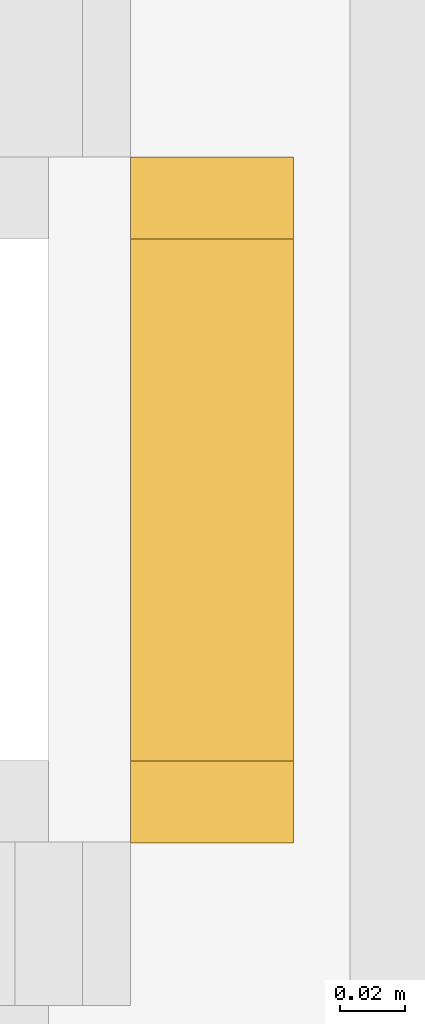
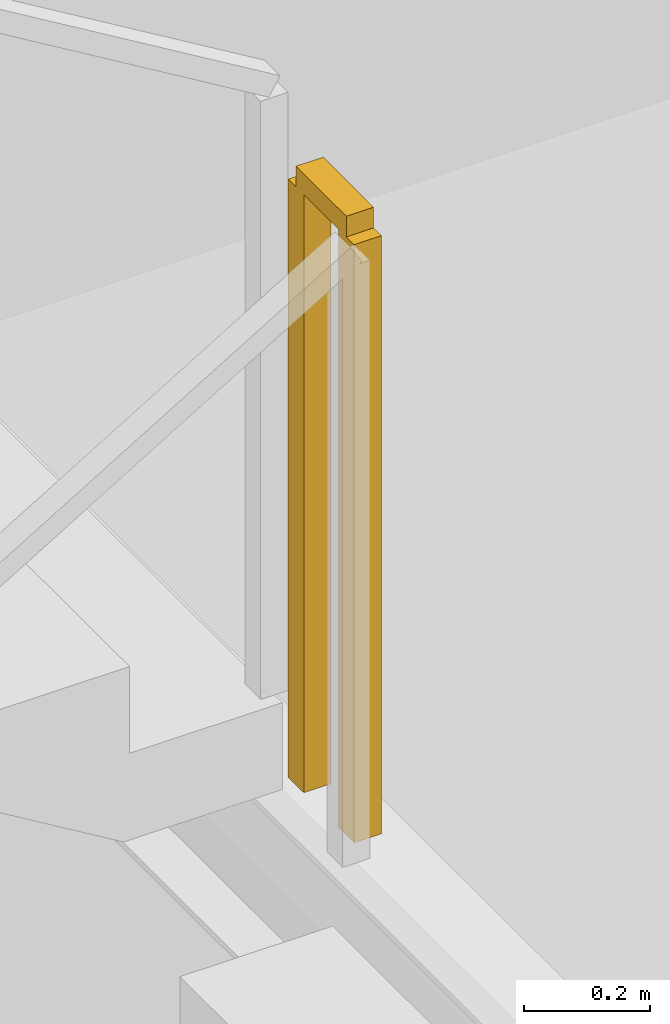
# One storey, part 19 of 19: 1 railing.
"""IFC4 building model written with IfcOpenShell, lengths in metres."""

import ifcopenshell
import ifcopenshell.guid

model = None  # the IFC model being written
_history = None  # IfcOwnerHistory: only IFC2X3 demands one
_inside = {}  # id of a spatial element -> (the spatial element, [elements in it])
_under = {}  # id of a project, library or spatial element -> (it, [spatial elements below it])
_declared = {}  # id of a project -> (the project, [libraries it declares])
_typed = {}  # id of a type object -> (the type object, [elements of that type])
_made_of = {}  # id of a material, layer set ... -> (it, [elements and type objects made of it])


def new_model(schema):
    """Start an empty IFC model of exactly this schema.

    Asked for "IFC4X3", IfcOpenShell would pick the latest addendum, in which some entities
    have other attributes; the version numbers below select the first issue.
    IFC2X3 requires an IfcOwnerHistory on every rooted entity: one is made here for all.
    """
    global model, _history
    if schema == "IFC4X3":
        model = ifcopenshell.file(schema_version=(4, 3, 0, 0))
    else:
        model = ifcopenshell.file(schema=schema)
    _inside.clear()
    _under.clear()
    _declared.clear()
    _typed.clear()
    _made_of.clear()
    _history = None
    if model.schema == "IFC2X3":
        org = make("IfcOrganization", Name="unknown")
        user = make(
            "IfcPersonAndOrganization",
            ThePerson=make("IfcPerson", FamilyName="unknown"),
            TheOrganization=org,
        )
        app = make(
            "IfcApplication",
            ApplicationDeveloper=org,
            Version="unknown",
            ApplicationFullName="unknown",
            ApplicationIdentifier="unknown",
        )
        _history = make(
            "IfcOwnerHistory",
            OwningUser=user,
            OwningApplication=app,
            ChangeAction="ADDED",
            CreationDate=0,
        )
    return model


def make(cls, **values):
    """One entity of the class cls with the attributes given. An attribute that is None is left unset."""
    return model.create_entity(
        cls, **{name: value for name, value in values.items() if value is not None}
    )


def rooted(cls, **values):
    """An entity with a GlobalId (a new one), such as an element, a storey or a relation."""
    return make(cls, GlobalId=ifcopenshell.guid.new(), OwnerHistory=_history, **values)


def si_unit(unit_type, name, prefix=None):
    """IfcSIUnit, for example si_unit("LENGTHUNIT", "METRE", prefix="MILLI")."""
    return make("IfcSIUnit", UnitType=unit_type, Prefix=prefix, Name=name)


def assignment(units):
    """IfcUnitAssignment: the units of a project."""
    return None if units is None else make("IfcUnitAssignment", Units=units)


def point(xyz):
    """IfcCartesianPoint."""
    return None if xyz is None else make("IfcCartesianPoint", Coordinates=xyz)


def direction(xyz):
    """IfcDirection."""
    return None if xyz is None else make("IfcDirection", DirectionRatios=xyz)


def frame(location, z_axis=None, x_axis=None):
    """IfcAxis2Placement3D, a coordinate frame: its origin and axes. An axis left out is left unset."""
    return make(
        "IfcAxis2Placement3D",
        Location=point(location),
        Axis=direction(z_axis),
        RefDirection=direction(x_axis),
    )


def frame_2d(location, x_axis=None):
    """IfcAxis2Placement2D, a coordinate frame in the plane: its origin and x axis."""
    return make(
        "IfcAxis2Placement2D", Location=point(location), RefDirection=direction(x_axis)
    )


def origin():
    """The frame at (0, 0, 0) with its axes left unset."""
    return frame((0.0, 0.0, 0.0))


def origin_2d():
    """The frame at (0, 0) in the plane with its x axis left unset."""
    return frame_2d((0.0, 0.0))


def place(relative_to, where):
    """IfcLocalPlacement: puts the frame where relative to a parent placement (None: the world)."""
    return make(
        "IfcLocalPlacement", PlacementRelTo=relative_to, RelativePlacement=where
    )


def context(
    kind, dimensions, precision=None, world=None, true_north=None, identifier=None
):
    """IfcGeometricRepresentationContext, for example the 3D "Model" context."""
    return make(
        "IfcGeometricRepresentationContext",
        ContextIdentifier=identifier,
        ContextType=kind,
        CoordinateSpaceDimension=dimensions,
        Precision=precision,
        WorldCoordinateSystem=world,
        TrueNorth=true_north,
    )


def subcontext(parent, identifier, kind, view, scale=None):
    """IfcGeometricRepresentationSubContext, for example "Body" below "Model"."""
    return make(
        "IfcGeometricRepresentationSubContext",
        ContextIdentifier=identifier,
        ContextType=kind,
        ParentContext=parent,
        TargetScale=scale,
        TargetView=view,
    )


def project(units=None, contexts=None):
    """IfcProject with its units and contexts."""
    return rooted(
        "IfcProject",
        Name="project",
        RepresentationContexts=contexts,
        UnitsInContext=assignment(units),
    )


def spatial(cls, under=None, at=None, **own):
    """A site, building, storey or space (cls), placed at a placement, below another one or the project."""
    s = rooted(cls, ObjectPlacement=at, **own)
    if under is not None:
        _under.setdefault(under.id(), (under, []))[1].append(s)
    return s


def profile(cls, at=None, kind="AREA", **sizes):
    """A parametric profile (cls). Its sizes go by their IFC names, for example OverallWidth=200.0."""
    return make(cls, ProfileType=kind, Position=at, **sizes)


def rectangle(**sizes):
    """IfcRectangleProfileDef."""
    return profile("IfcRectangleProfileDef", **sizes)


def extrude(swept, where, along, depth):
    """IfcExtrudedAreaSolid: the profile swept, set in the frame where, extruded along a direction by depth."""
    return make(
        "IfcExtrudedAreaSolid",
        SweptArea=swept,
        Position=where,
        ExtrudedDirection=direction(along),
        Depth=depth,
    )


def shape(context_of_items, identifier, shape_type, items):
    """IfcShapeRepresentation: the items that make up one representation, for example the "Body"."""
    return make(
        "IfcShapeRepresentation",
        ContextOfItems=context_of_items,
        RepresentationIdentifier=identifier,
        RepresentationType=shape_type,
        Items=items,
    )


def material(Name=None, Category=None):
    """IfcMaterial."""
    return make("IfcMaterial", Name=Name, Category=Category)


def made_of(thing, what):
    """Note that an element or type object is made of a material, layer set ...; save() writes the relation."""
    if what is not None:
        _made_of.setdefault(what.id(), (what, []))[1].append(thing)
    return thing


def type_object(cls, material=None, **own):
    """A type object (cls), such as IfcWallType, which elements share."""
    return made_of(rooted(cls, **own), material)


def element(
    cls,
    number,
    at=None,
    inside=None,
    cuts=None,
    type_object=None,
    material=None,
    context=None,
    identifier="Body",
    shape_type=None,
    held_by="IfcProductDefinitionShape",
    body=None,
    shapes=None,
    **own,
):
    """One element of the class cls, such as IfcWall. Its Tag is "e" and its number.

    at: its placement. inside: the storey or other place that contains it. cuts: it is an
    opening in that element (IfcRelVoidsElement). A single representation is given by context,
    identifier, shape_type and body (its items); several are given by shapes. held_by: the class
    of the entity that holds the representations. save() writes the other relations.
    """
    e = rooted(cls, Tag="e%d" % number, ObjectPlacement=at, **own)
    if body is not None:
        shapes = [shape(context, identifier, shape_type, body)]
    if shapes is not None:
        e.Representation = make(held_by, Representations=shapes)
    if inside is not None:
        _inside.setdefault(inside.id(), (inside, []))[1].append(e)
    if cuts is not None:
        rooted(
            "IfcRelVoidsElement", RelatingBuildingElement=cuts, RelatedOpeningElement=e
        )
    if type_object is not None:
        _typed.setdefault(type_object.id(), (type_object, []))[1].append(e)
    return made_of(e, material)


def aggregate(whole, parts):
    """IfcRelAggregates: a whole, such as a stair, and the parts it consists of."""
    return rooted("IfcRelAggregates", RelatingObject=whole, RelatedObjects=parts)


def save(model, path):
    """Write the relations noted so far, then the file.

    IfcRelAggregates (storeys below a building ...), IfcRelContainedInSpatialStructure (elements
    in a storey), IfcRelDefinesByType, IfcRelAssociatesMaterial and IfcRelDeclares: one each for
    every whole, place, type object, material and project.
    """
    for whole, parts in _under.values():
        aggregate(whole, parts)
    for where, things in _inside.values():
        rooted(
            "IfcRelContainedInSpatialStructure",
            RelatedElements=things,
            RelatingStructure=where,
        )
    for kind, things in _typed.values():
        rooted("IfcRelDefinesByType", RelatedObjects=things, RelatingType=kind)
    for what, things in _made_of.values():
        rooted("IfcRelAssociatesMaterial", RelatedObjects=things, RelatingMaterial=what)
    for by, libraries in _declared.values():
        rooted("IfcRelDeclares", RelatingContext=by, RelatedDefinitions=libraries)
    model.write(path)


model = new_model("IFC4")

# Units and contexts
model_context = context("Model", 3, precision=1e-05, world=origin(), true_north=direction((0.0, 1.0)))
body_context = subcontext(model_context, "Body", "Model", "MODEL_VIEW")
ifc_project = project(units=[si_unit("LENGTHUNIT", "METRE"), si_unit("AREAUNIT", "SQUARE_METRE"), si_unit("VOLUMEUNIT", "CUBIC_METRE"), si_unit("PLANEANGLEUNIT", "RADIAN"), si_unit("MASSUNIT", "GRAM", prefix="KILO")], contexts=[model_context])

# Site, building, storey
site_placement = place(None, origin())
site = spatial("IfcSite", under=ifc_project, at=site_placement, CompositionType="ELEMENT")
building_placement = place(site_placement, origin())
building = spatial("IfcBuilding", under=site, at=building_placement, Name="Qianvela Tower", CompositionType="ELEMENT")
storey_placement = place(building_placement, frame((0.0, 0.0, 280.60009765625)))
storey = spatial("IfcBuildingStorey", under=building, at=storey_placement, Name="L72", CompositionType="ELEMENT", Elevation=280.60009765625)

# Railing
ifc_material = material(Name="Painted Tubular Steel Q355B", Category="steel")
railing_type = type_object("IfcRailingType", Name="RL-STAIR-GUARD-1200", PredefinedType="GUARDRAIL", material=ifc_material)
railing_placement = place(storey_placement, frame((35.050048828125, 30.889892578125, 1.849853515625)))
element("IfcRailing", 1, at=railing_placement, inside=storey, type_object=railing_type, Name="L72 ST-1 stair guard 2", PredefinedType="GUARDRAIL", context=body_context, shape_type="SweptSolid", body=[
    extrude(rectangle(XDim=0.050048828125, YDim=0.0400390625, at=origin_2d()), frame((0.0, 0.0, 1.179931640625), z_axis=(0.0, 1.0, 0.0), x_axis=(-1.0, 0.0, 0.0)), (0.0, 0.0, 1.0), 0.16015625),
    extrude(rectangle(XDim=0.050048828125, YDim=0.050048828125, at=origin_2d()), origin(), (0.0, 0.0, 1.0), 1.159912109375),
    extrude(rectangle(XDim=0.050048828125, YDim=0.050048828125, at=origin_2d()), frame((0.0, 0.16015625, 0.0)), (0.0, 0.0, 1.0), 1.159912109375),
])

save(model, "model.ifc")
